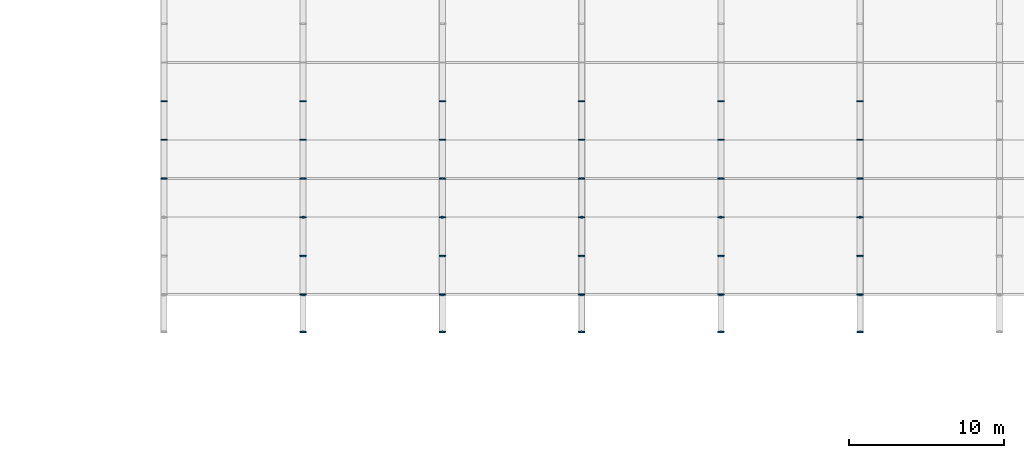
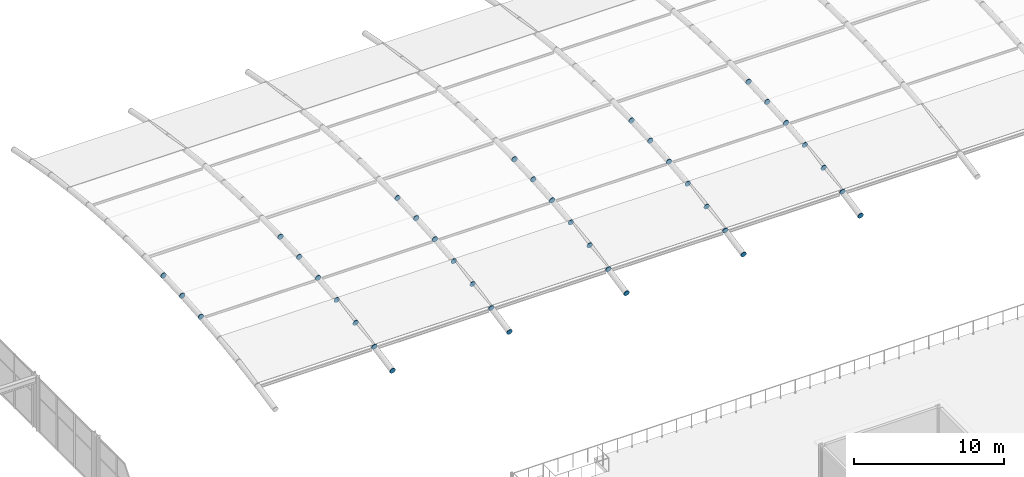
# One storey, part 78 of 105: 71 discrete accessories.
"""IFC4 building model written with IfcOpenShell, lengths in metres."""

from ifc_helpers import new_model, si_unit, direction, frame, origin, origin_2d, place, context, subcontext, project, spatial, circle, extrude, material, element, save


model = new_model("IFC4")

# Units and contexts
model_context = context("Model", 3, precision=1e-05, world=origin(), true_north=direction((0.0, 1.0)))
body_context = subcontext(model_context, "Body", "Model", "MODEL_VIEW")
ifc_project = project(units=[si_unit("LENGTHUNIT", "METRE"), si_unit("AREAUNIT", "SQUARE_METRE"), si_unit("VOLUMEUNIT", "CUBIC_METRE"), si_unit("PLANEANGLEUNIT", "RADIAN"), si_unit("MASSUNIT", "GRAM", prefix="KILO")], contexts=[model_context])

# Site, building, storey
site_placement = place(None, origin())
site = spatial("IfcSite", under=ifc_project, at=site_placement, CompositionType="ELEMENT")
building_placement = place(site_placement, origin())
building = spatial("IfcBuilding", under=site, at=building_placement, Name="Marlcrest Central Station", CompositionType="ELEMENT")
storey_placement = place(building_placement, frame((0.0, 0.0, 15.0)))
storey = spatial("IfcBuildingStorey", under=building, at=storey_placement, Name="L03", CompositionType="ELEMENT", Elevation=15.0)

# Discrete accessories
ifc_material = material(Name="Steel S355", Category="steel")
for number, where, z_axis, x_axis, name in (
    (1, (144.0, 58.47509765625, 1.4482421875), (0.0, 0.994155341034, 0.107959056565), (-1.0, 0.0, 0.0), "endcap-mem-AC-01-L03-01124-e"),
    (2, (144.0, 58.485107421875, 1.44970703125), (0.0, 0.996999825732, 0.077403795064), (-1.0, 0.0, 0.0), "endcap-mem-AC-01-L03-01128-s"),
    (3, (144.0, 60.97509765625, 1.64306640625), (0.0, 0.996999825732, 0.077403795064), (-1.0, 0.0, 0.0), "endcap-mem-AC-01-L03-01128-e"),
    (4, (144.0, 60.985107421875, 1.644287109375), (0.0, 0.998921349185, 0.046434234591), (-1.0, 0.0, 0.0), "endcap-mem-AC-01-L03-01132-s"),
    (5, (144.0, 63.47509765625, 1.760009765625), (0.0, 0.998921349185, 0.046434234591), (-1.0, 0.0, 0.0), "endcap-mem-AC-01-L03-01132-e"),
    (6, (144.0, 63.485107421875, 1.760986328125), (0.0, 0.999879472592, 0.01552547228), (-1.0, 0.0, 0.0), "endcap-mem-AC-01-L03-01136-s"),
    (7, (153.0, 48.5654296875, -0.0859375), (0.0, 0.980359417961, 0.197219196874), (-1.0, 0.0, 0.0), "endcap-mem-AC-01-L03-01228-s"),
    (8, (153.0, 50.9755859375, 0.39892578125), (0.0, 0.980359417961, 0.197219196874), (-1.0, 0.0, 0.0), "endcap-mem-AC-01-L03-01228-e"),
    (9, (153.0, 50.985107421875, 0.4013671875), (0.0, 0.98574109921, 0.168269086076), (-1.0, 0.0, 0.0), "endcap-mem-AC-01-L03-01232-s"),
    (10, (153.0, 53.475341796875, 0.826416015625), (0.0, 0.98574109921, 0.168269086076), (-1.0, 0.0, 0.0), "endcap-mem-AC-01-L03-01232-e"),
    (11, (153.0, 53.485107421875, 0.82861328125), (0.0, 0.990402740232, 0.138211476152), (-1.0, 0.0, 0.0), "endcap-mem-AC-01-L03-01236-s"),
    (12, (153.0, 55.975341796875, 1.176025390625), (0.0, 0.990402740232, 0.138211476152), (-1.0, 0.0, 0.0), "endcap-mem-AC-01-L03-01236-e"),
    (13, (153.0, 55.985107421875, 1.177734375), (0.0, 0.994155341034, 0.107959056565), (-1.0, 0.0, 0.0), "endcap-mem-AC-01-L03-01240-s"),
    (14, (153.0, 58.47509765625, 1.4482421875), (0.0, 0.994155341034, 0.107959056565), (-1.0, 0.0, 0.0), "endcap-mem-AC-01-L03-01240-e"),
    (15, (153.0, 58.485107421875, 1.44970703125), (0.0, 0.996999825732, 0.077403795064), (-1.0, 0.0, 0.0), "endcap-mem-AC-01-L03-01244-s"),
    (16, (153.0, 60.97509765625, 1.64306640625), (0.0, 0.996999825732, 0.077403795064), (-1.0, 0.0, 0.0), "endcap-mem-AC-01-L03-01244-e"),
    (17, (153.0, 60.985107421875, 1.644287109375), (0.0, 0.998921349185, 0.046434234591), (-1.0, 0.0, 0.0), "endcap-mem-AC-01-L03-01248-s"),
    (18, (153.0, 63.47509765625, 1.760009765625), (0.0, 0.998921349185, 0.046434234591), (-1.0, 0.0, 0.0), "endcap-mem-AC-01-L03-01248-e"),
    (19, (153.0, 63.485107421875, 1.760986328125), (0.0, 0.999879472592, 0.01552547228), (-1.0, 0.0, 0.0), "endcap-mem-AC-01-L03-01252-s"),
    (20, (162.0, 48.5654296875, -0.0859375), (0.0, 0.980359417961, 0.197219196874), (-1.0, 0.0, 0.0), "endcap-mem-AC-01-L03-01344-s"),
    (21, (162.0, 50.9755859375, 0.39892578125), (0.0, 0.980359417961, 0.197219196874), (-1.0, 0.0, 0.0), "endcap-mem-AC-01-L03-01344-e"),
    (22, (162.0, 50.985107421875, 0.4013671875), (0.0, 0.98574109921, 0.168269086076), (-1.0, 0.0, 0.0), "endcap-mem-AC-01-L03-01348-s"),
    (23, (162.0, 53.475341796875, 0.826416015625), (0.0, 0.98574109921, 0.168269086076), (-1.0, 0.0, 0.0), "endcap-mem-AC-01-L03-01348-e"),
    (24, (162.0, 53.485107421875, 0.82861328125), (0.0, 0.990402740232, 0.138211476152), (-1.0, 0.0, 0.0), "endcap-mem-AC-01-L03-01352-s"),
    (25, (162.0, 55.975341796875, 1.176025390625), (0.0, 0.990402740232, 0.138211476152), (-1.0, 0.0, 0.0), "endcap-mem-AC-01-L03-01352-e"),
    (26, (162.0, 55.985107421875, 1.177734375), (0.0, 0.994155341034, 0.107959056565), (-1.0, 0.0, 0.0), "endcap-mem-AC-01-L03-01356-s"),
    (27, (162.0, 58.47509765625, 1.4482421875), (0.0, 0.994155341034, 0.107959056565), (-1.0, 0.0, 0.0), "endcap-mem-AC-01-L03-01356-e"),
    (28, (162.0, 58.485107421875, 1.44970703125), (0.0, 0.996999825732, 0.077403795064), (-1.0, 0.0, 0.0), "endcap-mem-AC-01-L03-01360-s"),
    (29, (162.0, 60.97509765625, 1.64306640625), (0.0, 0.996999825732, 0.077403795064), (-1.0, 0.0, 0.0), "endcap-mem-AC-01-L03-01360-e"),
    (30, (162.0, 60.985107421875, 1.644287109375), (0.0, 0.998921349185, 0.046434234591), (-1.0, 0.0, 0.0), "endcap-mem-AC-01-L03-01364-s"),
    (31, (162.0, 63.47509765625, 1.760009765625), (0.0, 0.998921349185, 0.046434234591), (-1.0, 0.0, 0.0), "endcap-mem-AC-01-L03-01364-e"),
    (32, (162.0, 63.485107421875, 1.760986328125), (0.0, 0.999879472592, 0.01552547228), (-1.0, 0.0, 0.0), "endcap-mem-AC-01-L03-01368-s"),
    (33, (171.0, 48.5654296875, -0.0859375), (0.0, 0.980359417961, 0.197219196874), (-1.0, 0.0, 0.0), "endcap-mem-AC-01-L03-01460-s"),
    (34, (171.0, 50.9755859375, 0.39892578125), (0.0, 0.980359417961, 0.197219196874), (-1.0, 0.0, 0.0), "endcap-mem-AC-01-L03-01460-e"),
    (35, (171.0, 50.985107421875, 0.4013671875), (0.0, 0.98574109921, 0.168269086076), (-1.0, 0.0, 0.0), "endcap-mem-AC-01-L03-01464-s"),
    (36, (171.0, 53.475341796875, 0.826416015625), (0.0, 0.98574109921, 0.168269086076), (-1.0, 0.0, 0.0), "endcap-mem-AC-01-L03-01464-e"),
    (37, (171.0, 53.485107421875, 0.82861328125), (0.0, 0.990402740232, 0.138211476152), (-1.0, 0.0, 0.0), "endcap-mem-AC-01-L03-01468-s"),
    (38, (171.0, 55.975341796875, 1.176025390625), (0.0, 0.990402740232, 0.138211476152), (-1.0, 0.0, 0.0), "endcap-mem-AC-01-L03-01468-e"),
    (39, (171.0, 55.985107421875, 1.177734375), (0.0, 0.994155341034, 0.107959056565), (-1.0, 0.0, 0.0), "endcap-mem-AC-01-L03-01472-s"),
    (40, (171.0, 58.47509765625, 1.4482421875), (0.0, 0.994155341034, 0.107959056565), (-1.0, 0.0, 0.0), "endcap-mem-AC-01-L03-01472-e"),
    (41, (171.0, 58.485107421875, 1.44970703125), (0.0, 0.996999825732, 0.077403795064), (-1.0, 0.0, 0.0), "endcap-mem-AC-01-L03-01476-s"),
    (42, (171.0, 60.97509765625, 1.64306640625), (0.0, 0.996999825732, 0.077403795064), (-1.0, 0.0, 0.0), "endcap-mem-AC-01-L03-01476-e"),
    (43, (171.0, 60.985107421875, 1.644287109375), (0.0, 0.998921349185, 0.046434234591), (-1.0, 0.0, 0.0), "endcap-mem-AC-01-L03-01480-s"),
    (44, (171.0, 63.47509765625, 1.760009765625), (0.0, 0.998921349185, 0.046434234591), (-1.0, 0.0, 0.0), "endcap-mem-AC-01-L03-01480-e"),
    (45, (171.0, 63.485107421875, 1.760986328125), (0.0, 0.999879472592, 0.01552547228), (-1.0, 0.0, 0.0), "endcap-mem-AC-01-L03-01484-s"),
    (46, (180.0, 48.5654296875, -0.0859375), (0.0, 0.980359417961, 0.197219196874), (-1.0, 0.0, 0.0), "endcap-mem-AC-01-L03-01576-s"),
    (47, (180.0, 50.9755859375, 0.39892578125), (0.0, 0.980359417961, 0.197219196874), (-1.0, 0.0, 0.0), "endcap-mem-AC-01-L03-01576-e"),
    (48, (180.0, 50.985107421875, 0.4013671875), (0.0, 0.98574109921, 0.168269086076), (-1.0, 0.0, 0.0), "endcap-mem-AC-01-L03-01580-s"),
    (49, (180.0, 53.475341796875, 0.826416015625), (0.0, 0.98574109921, 0.168269086076), (-1.0, 0.0, 0.0), "endcap-mem-AC-01-L03-01580-e"),
    (50, (180.0, 53.485107421875, 0.82861328125), (0.0, 0.990402740232, 0.138211476152), (-1.0, 0.0, 0.0), "endcap-mem-AC-01-L03-01584-s"),
    (51, (180.0, 55.975341796875, 1.176025390625), (0.0, 0.990402740232, 0.138211476152), (-1.0, 0.0, 0.0), "endcap-mem-AC-01-L03-01584-e"),
    (52, (180.0, 55.985107421875, 1.177734375), (0.0, 0.994155341034, 0.107959056565), (-1.0, 0.0, 0.0), "endcap-mem-AC-01-L03-01588-s"),
    (53, (180.0, 58.47509765625, 1.4482421875), (0.0, 0.994155341034, 0.107959056565), (-1.0, 0.0, 0.0), "endcap-mem-AC-01-L03-01588-e"),
    (54, (180.0, 58.485107421875, 1.44970703125), (0.0, 0.996999825732, 0.077403795064), (-1.0, 0.0, 0.0), "endcap-mem-AC-01-L03-01592-s"),
    (55, (180.0, 60.97509765625, 1.64306640625), (0.0, 0.996999825732, 0.077403795064), (-1.0, 0.0, 0.0), "endcap-mem-AC-01-L03-01592-e"),
    (56, (180.0, 60.985107421875, 1.644287109375), (0.0, 0.998921349185, 0.046434234591), (-1.0, 0.0, 0.0), "endcap-mem-AC-01-L03-01596-s"),
    (57, (180.0, 63.47509765625, 1.760009765625), (0.0, 0.998921349185, 0.046434234591), (-1.0, 0.0, 0.0), "endcap-mem-AC-01-L03-01596-e"),
    (58, (180.0, 63.485107421875, 1.760986328125), (0.0, 0.999879472592, 0.01552547228), (-1.0, 0.0, 0.0), "endcap-mem-AC-01-L03-01600-s"),
    (59, (189.0, 48.5654296875, -0.0859375), (0.0, 0.980359417961, 0.197219196874), (-1.0, 0.0, 0.0), "endcap-mem-AC-01-L03-01692-s"),
    (60, (189.0, 50.9755859375, 0.39892578125), (0.0, 0.980359417961, 0.197219196874), (-1.0, 0.0, 0.0), "endcap-mem-AC-01-L03-01692-e"),
    (61, (189.0, 50.985107421875, 0.4013671875), (0.0, 0.98574109921, 0.168269086076), (-1.0, 0.0, 0.0), "endcap-mem-AC-01-L03-01696-s"),
    (62, (189.0, 53.475341796875, 0.826416015625), (0.0, 0.98574109921, 0.168269086076), (-1.0, 0.0, 0.0), "endcap-mem-AC-01-L03-01696-e"),
    (63, (189.0, 53.485107421875, 0.82861328125), (0.0, 0.990402740232, 0.138211476152), (-1.0, 0.0, 0.0), "endcap-mem-AC-01-L03-01700-s"),
    (64, (189.0, 55.975341796875, 1.176025390625), (0.0, 0.990402740232, 0.138211476152), (-1.0, 0.0, 0.0), "endcap-mem-AC-01-L03-01700-e"),
    (65, (189.0, 55.985107421875, 1.177734375), (0.0, 0.994155341034, 0.107959056565), (-1.0, 0.0, 0.0), "endcap-mem-AC-01-L03-01704-s"),
    (66, (189.0, 58.47509765625, 1.4482421875), (0.0, 0.994155341034, 0.107959056565), (-1.0, 0.0, 0.0), "endcap-mem-AC-01-L03-01704-e"),
    (67, (189.0, 58.485107421875, 1.44970703125), (0.0, 0.996999825732, 0.077403795064), (-1.0, 0.0, 0.0), "endcap-mem-AC-01-L03-01708-s"),
    (68, (189.0, 60.97509765625, 1.64306640625), (0.0, 0.996999825732, 0.077403795064), (-1.0, 0.0, 0.0), "endcap-mem-AC-01-L03-01708-e"),
    (69, (189.0, 60.985107421875, 1.644287109375), (0.0, 0.998921349185, 0.046434234591), (-1.0, 0.0, 0.0), "endcap-mem-AC-01-L03-01712-s"),
    (70, (189.0, 63.47509765625, 1.760009765625), (0.0, 0.998921349185, 0.046434234591), (-1.0, 0.0, 0.0), "endcap-mem-AC-01-L03-01712-e"),
    (71, (189.0, 63.485107421875, 1.760986328125), (0.0, 0.999879472592, 0.01552547228), (-1.0, 0.0, 0.0), "endcap-mem-AC-01-L03-01716-s"),
):
    element("IfcDiscreteAccessory", number, at=place(storey_placement, frame(where, z_axis=z_axis, x_axis=x_axis)), inside=storey, material=ifc_material, Name=name, ObjectType="END_CAP_PLATE", PredefinedType="BRACKET", context=body_context, shape_type="SweptSolid", body=[
        extrude(circle(Radius=0.211181640625, at=origin_2d()), origin(), (0.0, 0.0, 1.0), 0.0400390625),
    ])

save(model, "model.ifc")
